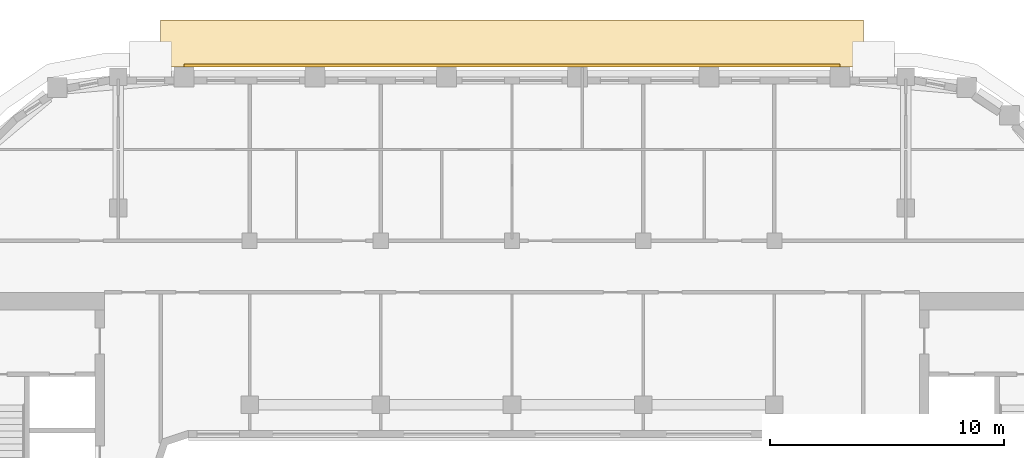
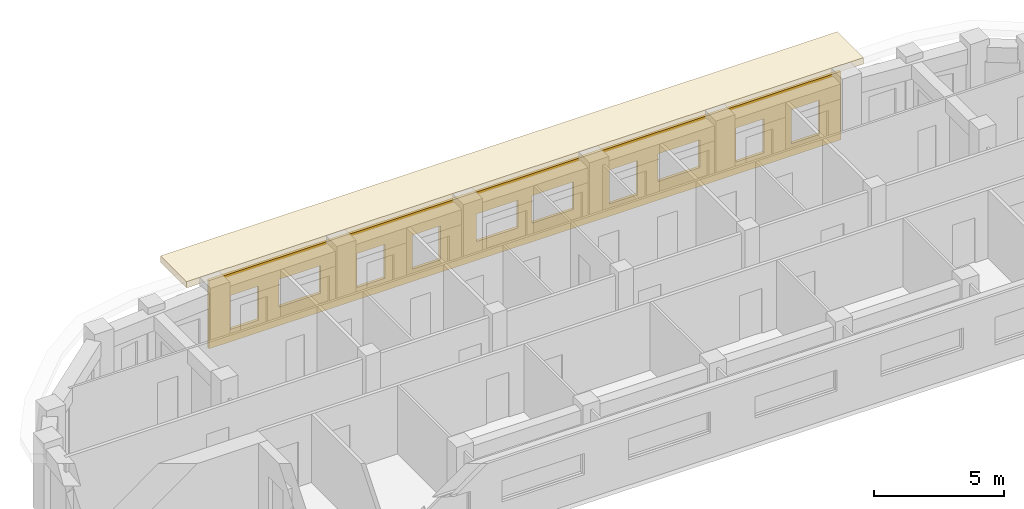
# One storey, part 20 of 21: 2 coverings.
"""IFC4 building model written with IfcOpenShell, lengths in metres."""

import ifcopenshell
import ifcopenshell.guid

model = None  # the IFC model being written
_history = None  # IfcOwnerHistory: only IFC2X3 demands one
_inside = {}  # id of a spatial element -> (the spatial element, [elements in it])
_under = {}  # id of a project, library or spatial element -> (it, [spatial elements below it])
_declared = {}  # id of a project -> (the project, [libraries it declares])
_typed = {}  # id of a type object -> (the type object, [elements of that type])
_made_of = {}  # id of a material, layer set ... -> (it, [elements and type objects made of it])


def new_model(schema):
    """Start an empty IFC model of exactly this schema.

    Asked for "IFC4X3", IfcOpenShell would pick the latest addendum, in which some entities
    have other attributes; the version numbers below select the first issue.
    IFC2X3 requires an IfcOwnerHistory on every rooted entity: one is made here for all.
    """
    global model, _history
    if schema == "IFC4X3":
        model = ifcopenshell.file(schema_version=(4, 3, 0, 0))
    else:
        model = ifcopenshell.file(schema=schema)
    _inside.clear()
    _under.clear()
    _declared.clear()
    _typed.clear()
    _made_of.clear()
    _history = None
    if model.schema == "IFC2X3":
        org = make("IfcOrganization", Name="unknown")
        user = make(
            "IfcPersonAndOrganization",
            ThePerson=make("IfcPerson", FamilyName="unknown"),
            TheOrganization=org,
        )
        app = make(
            "IfcApplication",
            ApplicationDeveloper=org,
            Version="unknown",
            ApplicationFullName="unknown",
            ApplicationIdentifier="unknown",
        )
        _history = make(
            "IfcOwnerHistory",
            OwningUser=user,
            OwningApplication=app,
            ChangeAction="ADDED",
            CreationDate=0,
        )
    return model


def make(cls, **values):
    """One entity of the class cls with the attributes given. An attribute that is None is left unset."""
    return model.create_entity(
        cls, **{name: value for name, value in values.items() if value is not None}
    )


def rooted(cls, **values):
    """An entity with a GlobalId (a new one), such as an element, a storey or a relation."""
    return make(cls, GlobalId=ifcopenshell.guid.new(), OwnerHistory=_history, **values)


def si_unit(unit_type, name, prefix=None):
    """IfcSIUnit, for example si_unit("LENGTHUNIT", "METRE", prefix="MILLI")."""
    return make("IfcSIUnit", UnitType=unit_type, Prefix=prefix, Name=name)


def assignment(units):
    """IfcUnitAssignment: the units of a project."""
    return None if units is None else make("IfcUnitAssignment", Units=units)


def point(xyz):
    """IfcCartesianPoint."""
    return None if xyz is None else make("IfcCartesianPoint", Coordinates=xyz)


def direction(xyz):
    """IfcDirection."""
    return None if xyz is None else make("IfcDirection", DirectionRatios=xyz)


def frame(location, z_axis=None, x_axis=None):
    """IfcAxis2Placement3D, a coordinate frame: its origin and axes. An axis left out is left unset."""
    return make(
        "IfcAxis2Placement3D",
        Location=point(location),
        Axis=direction(z_axis),
        RefDirection=direction(x_axis),
    )


def origin():
    """The frame at (0, 0, 0) with its axes left unset."""
    return frame((0.0, 0.0, 0.0))


def place(relative_to, where):
    """IfcLocalPlacement: puts the frame where relative to a parent placement (None: the world)."""
    return make(
        "IfcLocalPlacement", PlacementRelTo=relative_to, RelativePlacement=where
    )


def context(
    kind, dimensions, precision=None, world=None, true_north=None, identifier=None
):
    """IfcGeometricRepresentationContext, for example the 3D "Model" context."""
    return make(
        "IfcGeometricRepresentationContext",
        ContextIdentifier=identifier,
        ContextType=kind,
        CoordinateSpaceDimension=dimensions,
        Precision=precision,
        WorldCoordinateSystem=world,
        TrueNorth=true_north,
    )


def subcontext(parent, identifier, kind, view, scale=None):
    """IfcGeometricRepresentationSubContext, for example "Body" below "Model"."""
    return make(
        "IfcGeometricRepresentationSubContext",
        ContextIdentifier=identifier,
        ContextType=kind,
        ParentContext=parent,
        TargetScale=scale,
        TargetView=view,
    )


def project(units=None, contexts=None):
    """IfcProject with its units and contexts."""
    return rooted(
        "IfcProject",
        Name="project",
        RepresentationContexts=contexts,
        UnitsInContext=assignment(units),
    )


def spatial(cls, under=None, at=None, **own):
    """A site, building, storey or space (cls), placed at a placement, below another one or the project."""
    s = rooted(cls, ObjectPlacement=at, **own)
    if under is not None:
        _under.setdefault(under.id(), (under, []))[1].append(s)
    return s


def polyline(points):
    """IfcPolyline through the points."""
    return make("IfcPolyline", Points=[point(p) for p in points])


def outline(outer, holes=None, kind="AREA"):
    """IfcArbitraryClosedProfileDef: a profile drawn as a closed curve; with holes, ...WithVoids."""
    if holes is None:
        return make("IfcArbitraryClosedProfileDef", ProfileType=kind, OuterCurve=outer)
    return make(
        "IfcArbitraryProfileDefWithVoids",
        ProfileType=kind,
        OuterCurve=outer,
        InnerCurves=holes,
    )


def extrude(swept, where, along, depth):
    """IfcExtrudedAreaSolid: the profile swept, set in the frame where, extruded along a direction by depth."""
    return make(
        "IfcExtrudedAreaSolid",
        SweptArea=swept,
        Position=where,
        ExtrudedDirection=direction(along),
        Depth=depth,
    )


def shape(context_of_items, identifier, shape_type, items):
    """IfcShapeRepresentation: the items that make up one representation, for example the "Body"."""
    return make(
        "IfcShapeRepresentation",
        ContextOfItems=context_of_items,
        RepresentationIdentifier=identifier,
        RepresentationType=shape_type,
        Items=items,
    )


def material(Name=None, Category=None):
    """IfcMaterial."""
    return make("IfcMaterial", Name=Name, Category=Category)


def layer(
    of_material, thickness, ventilated=None, Name=None, Category=None, Priority=None
):
    """IfcMaterialLayer: one layer of a wall or slab, of a material (None: an air gap)."""
    return make(
        "IfcMaterialLayer",
        Material=of_material,
        LayerThickness=thickness,
        IsVentilated=ventilated,
        Name=Name,
        Category=Category,
        Priority=Priority,
    )


def layer_set(layers, Name=None):
    """IfcMaterialLayerSet."""
    return make("IfcMaterialLayerSet", MaterialLayers=layers, LayerSetName=Name)


def made_of(thing, what):
    """Note that an element or type object is made of a material, layer set ...; save() writes the relation."""
    if what is not None:
        _made_of.setdefault(what.id(), (what, []))[1].append(thing)
    return thing


def type_object(cls, material=None, **own):
    """A type object (cls), such as IfcWallType, which elements share."""
    return made_of(rooted(cls, **own), material)


def element(
    cls,
    number,
    at=None,
    inside=None,
    cuts=None,
    type_object=None,
    material=None,
    context=None,
    identifier="Body",
    shape_type=None,
    held_by="IfcProductDefinitionShape",
    body=None,
    shapes=None,
    **own,
):
    """One element of the class cls, such as IfcWall. Its Tag is "e" and its number.

    at: its placement. inside: the storey or other place that contains it. cuts: it is an
    opening in that element (IfcRelVoidsElement). A single representation is given by context,
    identifier, shape_type and body (its items); several are given by shapes. held_by: the class
    of the entity that holds the representations. save() writes the other relations.
    """
    e = rooted(cls, Tag="e%d" % number, ObjectPlacement=at, **own)
    if body is not None:
        shapes = [shape(context, identifier, shape_type, body)]
    if shapes is not None:
        e.Representation = make(held_by, Representations=shapes)
    if inside is not None:
        _inside.setdefault(inside.id(), (inside, []))[1].append(e)
    if cuts is not None:
        rooted(
            "IfcRelVoidsElement", RelatingBuildingElement=cuts, RelatedOpeningElement=e
        )
    if type_object is not None:
        _typed.setdefault(type_object.id(), (type_object, []))[1].append(e)
    return made_of(e, material)


def aggregate(whole, parts):
    """IfcRelAggregates: a whole, such as a stair, and the parts it consists of."""
    return rooted("IfcRelAggregates", RelatingObject=whole, RelatedObjects=parts)


def save(model, path):
    """Write the relations noted so far, then the file.

    IfcRelAggregates (storeys below a building ...), IfcRelContainedInSpatialStructure (elements
    in a storey), IfcRelDefinesByType, IfcRelAssociatesMaterial and IfcRelDeclares: one each for
    every whole, place, type object, material and project.
    """
    for whole, parts in _under.values():
        aggregate(whole, parts)
    for where, things in _inside.values():
        rooted(
            "IfcRelContainedInSpatialStructure",
            RelatedElements=things,
            RelatingStructure=where,
        )
    for kind, things in _typed.values():
        rooted("IfcRelDefinesByType", RelatedObjects=things, RelatingType=kind)
    for what, things in _made_of.values():
        rooted("IfcRelAssociatesMaterial", RelatedObjects=things, RelatingMaterial=what)
    for by, libraries in _declared.values():
        rooted("IfcRelDeclares", RelatingContext=by, RelatedDefinitions=libraries)
    model.write(path)


model = new_model("IFC4")

# Units and contexts
model_context = context("Model", 3, precision=1e-05, world=origin(), true_north=direction((0.0, 1.0)))
body_context = subcontext(model_context, "Body", "Model", "MODEL_VIEW")
ifc_project = project(units=[si_unit("LENGTHUNIT", "METRE"), si_unit("AREAUNIT", "SQUARE_METRE"), si_unit("VOLUMEUNIT", "CUBIC_METRE"), si_unit("PLANEANGLEUNIT", "RADIAN"), si_unit("MASSUNIT", "GRAM", prefix="KILO")], contexts=[model_context])

# Site, building, storey
site_placement = place(None, origin())
site = spatial("IfcSite", under=ifc_project, at=site_placement, CompositionType="ELEMENT")
building_placement = place(site_placement, origin())
building = spatial("IfcBuilding", under=site, at=building_placement, Name="Kiln Ring Residences", CompositionType="ELEMENT")
storey_placement = place(building_placement, frame((0.0, 0.0, 223.89990234375)))
storey = spatial("IfcBuildingStorey", under=building, at=storey_placement, Name="L58", CompositionType="ELEMENT", Elevation=223.89990234375)

# Coverings
ifc_material_1 = material(Name="Brick masonry, dark clay brick", Category="masonry")
ifc_layer_1 = layer(ifc_material_1, 0.1201171875)
ifc_layer_set_1 = layer_set([ifc_layer_1], Name="RAINSCREEN PANEL 120")
covering_type_1 = type_object("IfcCoveringType", Name="RAINSCREEN PANEL 120", PredefinedType="CLADDING", material=ifc_layer_set_1)
covering_1_placement = place(storey_placement, frame((14.0, 22.885009765625, 0.0), z_axis=(0.0, 0.0, 1.0), x_axis=(-1.0, 0.0, 0.0)))
element("IfcCovering", 1, at=covering_1_placement, inside=storey, type_object=covering_type_1, Name="RAINSCREEN L58", PredefinedType="CLADDING", context=body_context, shape_type="SweptSolid", body=[
    extrude(outline(polyline([(0.0, 0.0), (28.0, 0.0), (28.0, 3.2001953125), (0.0, 3.2001953125), (0.0, 0.0)]), holes=[polyline([(0.955078125, 0.580078125), (2.195068359375, 0.580078125), (2.195068359375, 2.170166015625), (0.955078125, 2.170166015625), (0.955078125, 0.580078125)]), polyline([(3.405029296875, 0.580078125), (4.64501953125, 0.580078125), (4.64501953125, 2.170166015625), (3.405029296875, 2.170166015625), (3.405029296875, 0.580078125)]), polyline([(9.0048828125, 0.580078125), (10.2451171875, 0.580078125), (10.2451171875, 2.170166015625), (9.0048828125, 2.170166015625), (9.0048828125, 0.580078125)]), polyline([(17.7548828125, 2.170166015625), (17.7548828125, 0.580078125), (18.9951171875, 0.580078125), (18.9951171875, 2.170166015625), (17.7548828125, 2.170166015625)]), polyline([(20.205078125, 2.170166015625), (20.205078125, 0.580078125), (21.445068359375, 0.580078125), (21.445068359375, 2.170166015625), (20.205078125, 2.170166015625)]), polyline([(25.804931640625, 0.580078125), (27.044921875, 0.580078125), (27.044921875, 2.170166015625), (25.804931640625, 2.170166015625), (25.804931640625, 0.580078125)]), polyline([(6.2548828125, 0.880126953125), (8.094970703125, 0.880126953125), (8.094970703125, 2.170166015625), (6.2548828125, 2.170166015625), (6.2548828125, 0.880126953125)]), polyline([(11.85498046875, 0.880126953125), (13.695068359375, 0.880126953125), (13.695068359375, 2.170166015625), (11.85498046875, 2.170166015625), (11.85498046875, 0.880126953125)]), polyline([(14.304931640625, 2.170166015625), (14.304931640625, 0.880126953125), (16.14501953125, 0.880126953125), (16.14501953125, 2.170166015625), (14.304931640625, 2.170166015625)]), polyline([(23.054931640625, 2.170166015625), (23.054931640625, 0.880126953125), (24.89501953125, 0.880126953125), (24.89501953125, 2.170166015625), (23.054931640625, 2.170166015625)])]), frame((0.0, 0.06005859375, 0.0), z_axis=(0.0, -1.0, 0.0), x_axis=(1.0, 0.0, 0.0)), (0.0, 0.0, 1.0), 0.1201171875),
])
ifc_material_2 = material(Name="Black powder-coated steel", Category="steel")
ifc_layer_2 = layer(ifc_material_2, 0.300048828125)
ifc_layer_set_2 = layer_set([ifc_layer_2], Name="SUNSHADE BAND 2000")
covering_type_2 = type_object("IfcCoveringType", Name="SUNSHADE BAND 2000", PredefinedType="CLADDING", material=ifc_layer_set_2)
covering_2_placement = place(storey_placement, frame((0.0, 0.0, 3.2001953125)))
element("IfcCovering", 2, at=covering_2_placement, inside=storey, type_object=covering_type_2, Name="SUNSHADE BAND L58", PredefinedType="CLADDING", context=body_context, shape_type="SweptSolid", body=[
    extrude(outline(polyline([(15.0, 24.824951171875), (-15.0, 24.824951171875), (-15.0, 22.824951171875), (15.0, 22.824951171875), (15.0, 24.824951171875)])), origin(), (0.0, 0.0, 1.0), 0.2998046875),
])

save(model, "model.ifc")
